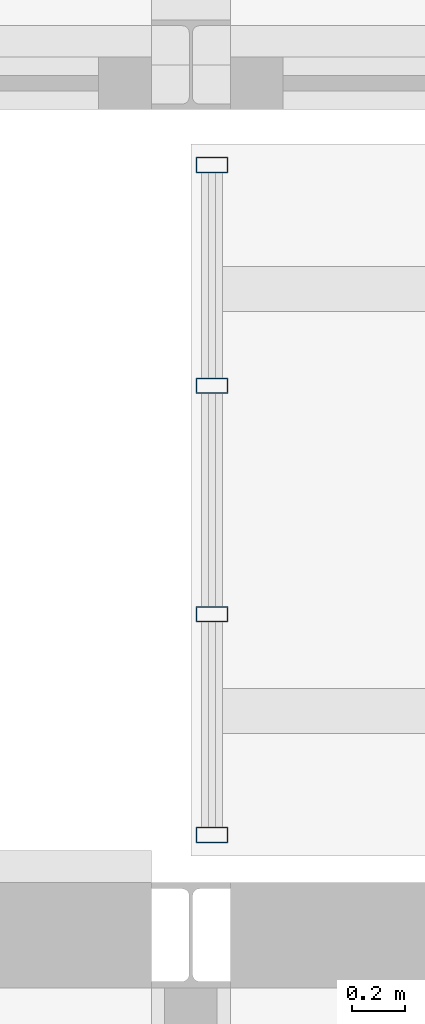
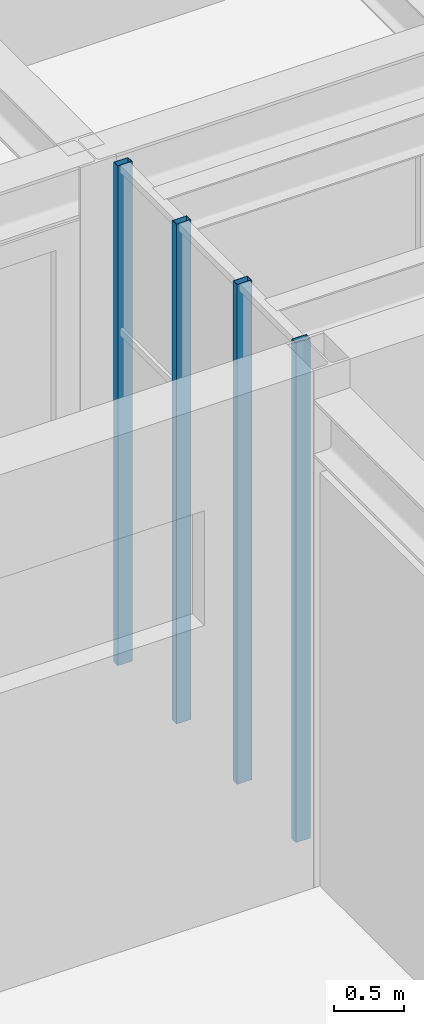
# One storey, part 30 of 153: 4 members, 1 element without a shape of its own.
"""IFC4 building model written with IfcOpenShell, lengths in metres."""

from ifc_helpers import new_model, si_unit, direction, frame, origin, origin_2d, place, context, subcontext, project, spatial, hollow_rectangle, extrude, material, material_profile, profile_set, type_object, element, aggregate, save


model = new_model("IFC4")

# Units and contexts
model_context = context("Model", 3, precision=1e-05, world=origin(), true_north=direction((0.0, 1.0)))
body_context = subcontext(model_context, "Body", "Model", "MODEL_VIEW")
ifc_project = project(units=[si_unit("LENGTHUNIT", "METRE"), si_unit("AREAUNIT", "SQUARE_METRE"), si_unit("VOLUMEUNIT", "CUBIC_METRE"), si_unit("PLANEANGLEUNIT", "RADIAN"), si_unit("MASSUNIT", "GRAM", prefix="KILO")], contexts=[model_context])

# Site, building, storey
site_placement = place(None, origin())
site = spatial("IfcSite", under=ifc_project, at=site_placement, CompositionType="ELEMENT")
building_placement = place(site_placement, origin())
building = spatial("IfcBuilding", under=site, at=building_placement, Name="Kallimachos Central Library", CompositionType="ELEMENT")
storey_placement = place(building_placement, frame((0.0, 0.0, 5.39990234375)))
storey = spatial("IfcBuildingStorey", under=building, at=storey_placement, Name="L01", CompositionType="ELEMENT", Elevation=5.39990234375)

# Curtain wall, members
ifc_material_1 = material(Name="Aluminium and laminated glass", Category="aluminium")
curtain_wall_type = type_object("IfcCurtainWallType", Name="Link glazed wall", PredefinedType="NOTDEFINED", material=ifc_material_1)
curtain_wall_placement = place(storey_placement, origin())
curtain_wall = element("IfcCurtainWall", 1, at=curtain_wall_placement, inside=storey, type_object=curtain_wall_type, Name="Stacks Link glazed wall L01", PredefinedType="NOTDEFINED")
ifc_material_2 = material(Name="Anodised aluminium", Category="aluminium")
ifc_material_profile = material_profile(ifc_material_2, hollow_rectangle(XDim=0.06005859375, YDim=0.1201171875, WallThickness=0.00390625, at=origin_2d()), Name="ALU MULLION 60x120")
ifc_profile_set = profile_set([ifc_material_profile], Name="Anodised aluminium")
member_type = type_object("IfcMemberType", Name="ALU MULLION 60x120 mullion", PredefinedType="MULLION", material=ifc_profile_set)
member_1_placement = place(storey_placement, frame((83.580078125, 45.22998046875, 0.0), z_axis=(0.0, 0.0, 1.0), x_axis=(0.0, 1.0, 0.0)))
member_1 = element("IfcMember", 2, at=member_1_placement, type_object=member_type, Name="CW60 mullion 1", PredefinedType="MULLION", context=body_context, shape_type="SweptSolid", body=[
    extrude(hollow_rectangle(XDim=0.06005859375, YDim=0.1201171875, WallThickness=0.00390625, at=origin_2d()), origin(), (0.0, 0.0, 1.0), 4.35009765625),
])
member_2_placement = place(storey_placement, frame((83.580078125, 46.066650390625, 0.0), z_axis=(0.0, 0.0, 1.0), x_axis=(0.0, 1.0, 0.0)))
member_2 = element("IfcMember", 3, at=member_2_placement, type_object=member_type, Name="CW60 mullion 2", PredefinedType="MULLION", context=body_context, shape_type="SweptSolid", body=[
    extrude(hollow_rectangle(XDim=0.06005859375, YDim=0.1201171875, WallThickness=0.00390625, at=origin_2d()), origin(), (0.0, 0.0, 1.0), 4.35009765625),
])
member_3_placement = place(storey_placement, frame((83.580078125, 46.933349609375, 0.0), z_axis=(0.0, 0.0, 1.0), x_axis=(0.0, 1.0, 0.0)))
member_3 = element("IfcMember", 4, at=member_3_placement, type_object=member_type, Name="CW60 mullion 3", PredefinedType="MULLION", context=body_context, shape_type="SweptSolid", body=[
    extrude(hollow_rectangle(XDim=0.06005859375, YDim=0.1201171875, WallThickness=0.00390625, at=origin_2d()), origin(), (0.0, 0.0, 1.0), 4.35009765625),
])
member_4_placement = place(storey_placement, frame((83.580078125, 47.77001953125, 0.0), z_axis=(0.0, 0.0, 1.0), x_axis=(0.0, 1.0, 0.0)))
member_4 = element("IfcMember", 5, at=member_4_placement, type_object=member_type, Name="CW60 mullion 4", PredefinedType="MULLION", context=body_context, shape_type="SweptSolid", body=[
    extrude(hollow_rectangle(XDim=0.06005859375, YDim=0.1201171875, WallThickness=0.00390625, at=origin_2d()), origin(), (0.0, 0.0, 1.0), 4.35009765625),
])
aggregate(curtain_wall, [member_1, member_2, member_3, member_4])

save(model, "model.ifc")
